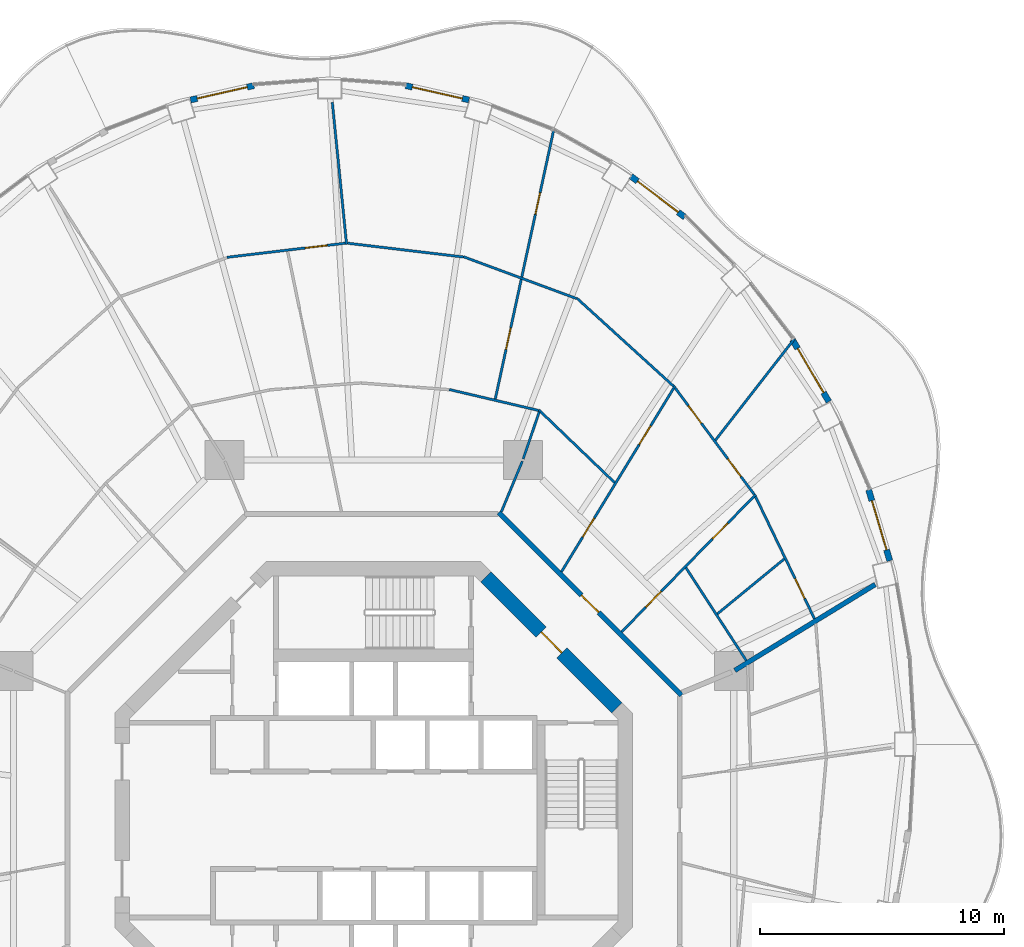
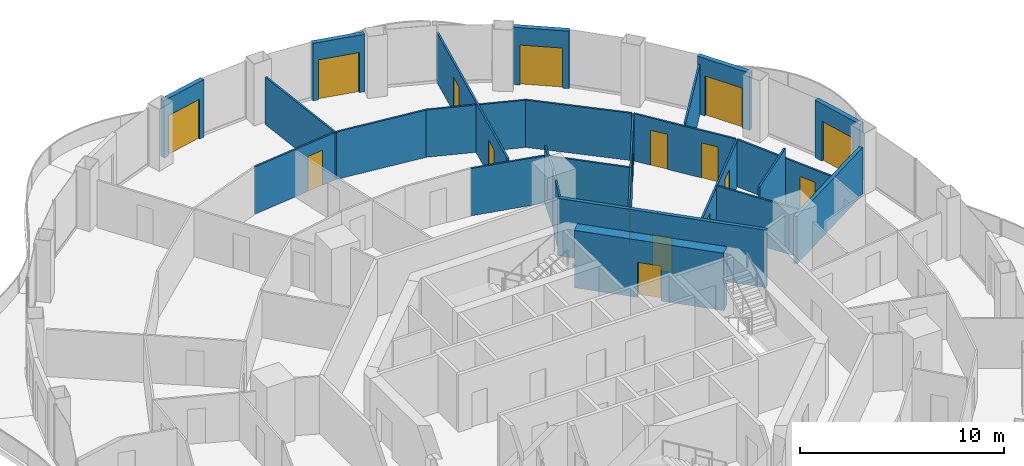
# One storey, part 14 of 18: 25 walls, 17 doors, 17 openings.
"""IFC4 building model written with IfcOpenShell, lengths in metres."""

from ifc_helpers import new_model, si_unit, direction, frame, frame_2d, origin, place, context, subcontext, project, spatial, rectangle, extrude, material, layer, layer_set, type_object, element, fill, save


model = new_model("IFC4")

# Units and contexts
model_context = context("Model", 3, precision=1e-05, world=origin(), true_north=direction((0.0, 1.0)))
body_context = subcontext(model_context, "Body", "Model", "MODEL_VIEW")
ifc_project = project(units=[si_unit("LENGTHUNIT", "METRE"), si_unit("AREAUNIT", "SQUARE_METRE"), si_unit("VOLUMEUNIT", "CUBIC_METRE"), si_unit("PLANEANGLEUNIT", "RADIAN"), si_unit("MASSUNIT", "GRAM", prefix="KILO")], contexts=[model_context])

# Site, building, storey
site_placement = place(None, origin())
site = spatial("IfcSite", under=ifc_project, at=site_placement, CompositionType="ELEMENT")
building_placement = place(site_placement, origin())
building = spatial("IfcBuilding", under=site, at=building_placement, Name="Nagisa Residences", CompositionType="ELEMENT")
storey_placement = place(building_placement, frame((0.0, 0.0, 245.5)))
storey = spatial("IfcBuildingStorey", under=building, at=storey_placement, Name="L62", CompositionType="ELEMENT", Elevation=245.5)

# Wall
ifc_material_1 = material(Name="Gypsum board on steel studs", Category="steel")
ifc_layer_1 = layer(ifc_material_1, 0.199951171875)
ifc_layer_set_1 = layer_set([ifc_layer_1], Name="Apartment compartment wall EI60 200")
wall_type_1 = type_object("IfcWallType", Name="Apartment compartment wall EI60 200", PredefinedType="PARTITIONING", material=ifc_layer_set_1)
wall_1_placement = place(storey_placement, frame((14.82470703125, 6.149169921875, 0.0), z_axis=(0.0, 0.0, 1.0), x_axis=(0.852781365284, 0.522268075824, 0.0)))
element("IfcWall", 1, at=wall_1_placement, inside=storey, type_object=wall_type_1, Name="wall:L62:u01", PredefinedType="PARTITIONING", context=body_context, shape_type="SweptSolid", body=[
    extrude(rectangle(XDim=6.758056640625, YDim=0.199951171875, at=frame_2d((3.37890625, 0.0))), origin(), (0.0, 0.0, 1.0), 2.8369140625),
])

# Wall, opening, door
ifc_material_2 = material(Name="Gypsum board on steel studs", Category="steel")
ifc_layer_2 = layer(ifc_material_2, 0.199951171875)
ifc_layer_set_2 = layer_set([ifc_layer_2], Name="Apartment entry wall EI60 200")
wall_type_2 = type_object("IfcWallType", Name="Apartment entry wall EI60 200", PredefinedType="PARTITIONING", material=ifc_layer_set_2)
wall_2_placement = place(storey_placement, frame((12.635498046875, 5.1337890625, 0.0), z_axis=(0.0, 0.0, 1.0), x_axis=(-0.707106781187, 0.707106781187, 0.0)))
wall_2 = element("IfcWall", 2, at=wall_2_placement, inside=storey, type_object=wall_type_2, Name="wall:L62:u07", PredefinedType="PARTITIONING", context=body_context, shape_type="SweptSolid", body=[
    extrude(rectangle(XDim=10.609130859375, YDim=0.199951171875, at=frame_2d((5.3046875, 0.0))), origin(), (0.0, 0.0, 1.0), 3.43994140625),
])
opening_1_placement = place(wall_2_placement, frame((4.804443359375, 0.0, 0.0)))
opening_1 = element("IfcOpeningElement", 3, at=opening_1_placement, cuts=wall_2, Name="Opening L62-U13", PredefinedType="OPENING", context=body_context, shape_type="SweptSolid", body=[
    extrude(rectangle(XDim=1.0, YDim=2.10009765625, at=frame_2d((0.5, 1.050048828125))), frame((0.0, 0.10986328125, 0.0), z_axis=(0.0, -1.0, 0.0), x_axis=(1.0, 0.0, 0.0)), (0.0, 0.0, 1.0), 0.219970703125),
])
ifc_material_3 = material(Name="Timber fire door set", Category="wood")
door_type_1 = type_object("IfcDoorType", Name="Apartment entry door FD30S 1000x2100", OperationType="NOTDEFINED", PredefinedType="DOOR", material=ifc_material_3)
door_1_placement = place(opening_1_placement, frame((1.0, 0.0, 0.0), x_axis=(-1.0, 0.0, 0.0)))
door_1 = element("IfcDoor", 4, at=door_1_placement, inside=storey, type_object=door_type_1, Name="Entry door, Apartment 62B", OperationType="SINGLE_SWING_RIGHT", OverallHeight=2.10009765625, OverallWidth=1.0, PredefinedType="DOOR", context=body_context, shape_type="SweptSolid", body=[
    extrude(rectangle(XDim=1.0, YDim=2.10009765625, at=frame_2d((0.5, 1.050048828125))), frame((0.0, 0.02490234375, 0.0), z_axis=(0.0, -1.0, 0.0), x_axis=(1.0, 0.0, 0.0)), (0.0, 0.0, 1.0), 0.050048828125),
])
fill(opening_1, door_1)

# Wall
ifc_material_4 = material(Name="Gypsum board on steel studs", Category="steel")
ifc_layer_3 = layer(ifc_material_4, 0.10009765625)
ifc_layer_set_3 = layer_set([ifc_layer_3], Name="Apartment partition 100")
wall_type_3 = type_object("IfcWallType", Name="Apartment partition 100", PredefinedType="PARTITIONING", material=ifc_layer_set_3)
wall_3_placement = place(storey_placement, frame((15.295166015625, 6.554443359375, 0.0), z_axis=(0.0, 0.0, 1.0), x_axis=(-0.545150807833, 0.838337996705, 0.0)))
element("IfcWall", 5, at=wall_3_placement, inside=storey, type_object=wall_type_3, Name="wall:L62:u19", PredefinedType="PARTITIONING", context=body_context, shape_type="SweptSolid", body=[
    extrude(rectangle(XDim=4.54248046875, YDim=0.10009765625, at=frame_2d((2.271240234375, 0.0))), origin(), (0.0, 0.0, 1.0), 2.8369140625),
])

# Wall, opening, door
wall_4_placement = place(storey_placement, frame((18.094970703125, 8.2685546875, 0.0), z_axis=(0.0, 0.0, 1.0), x_axis=(-0.434643729881, 0.900602480607, 0.0)))
wall_4 = element("IfcWall", 6, at=wall_4_placement, inside=storey, type_object=wall_type_3, Name="wall:L62:u20", PredefinedType="PARTITIONING", context=body_context, shape_type="SweptSolid", body=[
    extrude(rectangle(XDim=5.57421875, YDim=0.10009765625, at=frame_2d((2.787109375, 0.0))), origin(), (0.0, 0.0, 1.0), 2.8369140625),
])
opening_2_placement = place(wall_4_placement, frame((0.93115234375, 0.0, 0.0)))
opening_2 = element("IfcOpeningElement", 7, at=opening_2_placement, cuts=wall_4, Name="Opening L62-U37", PredefinedType="OPENING", context=body_context, shape_type="SweptSolid", body=[
    extrude(rectangle(XDim=0.89990234375, YDim=2.10009765625, at=frame_2d((0.449951171875, 1.050048828125))), frame((0.0, 0.06005859375, 0.0), z_axis=(0.0, -1.0, 0.0), x_axis=(1.0, 0.0, 0.0)), (0.0, 0.0, 1.0), 0.1201171875),
])
ifc_material_5 = material(Name="Timber door set", Category="wood")
door_type_2 = type_object("IfcDoorType", Name="Apartment door 900x2100", OperationType="NOTDEFINED", PredefinedType="DOOR", material=ifc_material_5)
door_2_placement = place(opening_2_placement, origin())
door_2 = element("IfcDoor", 8, at=door_2_placement, inside=storey, type_object=door_type_2, Name="Door to en-suite bathroom, Apartment 62B", OperationType="SINGLE_SWING_LEFT", OverallHeight=2.10009765625, OverallWidth=0.89990234375, PredefinedType="DOOR", context=body_context, shape_type="SweptSolid", body=[
    extrude(rectangle(XDim=0.89990234375, YDim=2.10009765625, at=frame_2d((0.449951171875, 1.050048828125))), frame((0.0, 0.02490234375, 0.0), z_axis=(0.0, -1.0, 0.0), x_axis=(1.0, 0.0, 0.0)), (0.0, 0.0, 1.0), 0.050048828125),
])
fill(opening_2, door_2)

# Wall
wall_5_placement = place(storey_placement, frame((14.109375, 8.46923828125, 0.0), z_axis=(0.0, 0.0, 1.0), x_axis=(0.772802064515, 0.634647121699, 0.0)))
element("IfcWall", 9, at=wall_5_placement, inside=storey, type_object=wall_type_3, Name="wall:L62:u21", PredefinedType="PARTITIONING", context=body_context, shape_type="SweptSolid", body=[
    extrude(rectangle(XDim=3.5537109375, YDim=0.10009765625, at=frame_2d((1.77685546875, 0.0))), origin(), (0.0, 0.0, 1.0), 3.43994140625),
])

# Wall, openings, doors
wall_6_placement = place(storey_placement, frame((10.18115234375, 7.7294921875, 0.0), z_axis=(0.0, 0.0, 1.0), x_axis=(0.698426432281, 0.715681855779, 0.0)))
wall_6 = element("IfcWall", 10, at=wall_6_placement, inside=storey, type_object=wall_type_3, Name="wall:L62:u22", PredefinedType="PARTITIONING", context=body_context, shape_type="SweptSolid", body=[
    extrude(rectangle(XDim=7.880859375, YDim=0.10009765625, at=frame_2d((3.9404296875, 0.0))), origin(), (0.0, 0.0, 1.0), 2.761962890625),
])
opening_3_placement = place(wall_6_placement, frame((1.418701171875, 0.0, 0.0)))
opening_3 = element("IfcOpeningElement", 11, at=opening_3_placement, cuts=wall_6, Name="Opening L62-U14", PredefinedType="OPENING", context=body_context, shape_type="SweptSolid", body=[
    extrude(rectangle(XDim=0.89990234375, YDim=2.10009765625, at=frame_2d((0.449951171875, 1.050048828125))), frame((0.0, 0.06005859375, 0.0), z_axis=(0.0, -1.0, 0.0), x_axis=(1.0, 0.0, 0.0)), (0.0, 0.0, 1.0), 0.1201171875),
])
opening_4_placement = place(wall_6_placement, frame((5.333984375, 0.0, 0.0)))
opening_4 = element("IfcOpeningElement", 12, at=opening_4_placement, cuts=wall_6, Name="Opening L62-U16", PredefinedType="OPENING", context=body_context, shape_type="SweptSolid", body=[
    extrude(rectangle(XDim=0.89990234375, YDim=2.10009765625, at=frame_2d((0.449951171875, 1.050048828125))), frame((0.0, 0.06005859375, 0.0), z_axis=(0.0, -1.0, 0.0), x_axis=(1.0, 0.0, 0.0)), (0.0, 0.0, 1.0), 0.1201171875),
])
door_3_placement = place(opening_3_placement, frame((0.89990234375, 0.0, 0.0), x_axis=(-1.0, 0.0, 0.0)))
door_3 = element("IfcDoor", 13, at=door_3_placement, inside=storey, type_object=door_type_2, Name="Door to laundry, Apartment 62B", OperationType="SINGLE_SWING_LEFT", OverallHeight=2.10009765625, OverallWidth=0.89990234375, PredefinedType="DOOR", context=body_context, shape_type="SweptSolid", body=[
    extrude(rectangle(XDim=0.89990234375, YDim=2.10009765625, at=frame_2d((0.449951171875, 1.050048828125))), frame((0.0, 0.02490234375, 0.0), z_axis=(0.0, -1.0, 0.0), x_axis=(1.0, 0.0, 0.0)), (0.0, 0.0, 1.0), 0.050048828125),
])
fill(opening_3, door_3)
door_4_placement = place(opening_4_placement, frame((0.89990234375, 0.0, 0.0), x_axis=(-1.0, 0.0, 0.0)))
door_4 = element("IfcDoor", 14, at=door_4_placement, inside=storey, type_object=door_type_2, Name="Door to family bathroom, Apartment 62B", OperationType="SINGLE_SWING_LEFT", OverallHeight=2.10009765625, OverallWidth=0.89990234375, PredefinedType="DOOR", context=body_context, shape_type="SweptSolid", body=[
    extrude(rectangle(XDim=0.89990234375, YDim=2.10009765625, at=frame_2d((0.449951171875, 1.050048828125))), frame((0.0, 0.02490234375, 0.0), z_axis=(0.0, -1.0, 0.0), x_axis=(1.0, 0.0, 0.0)), (0.0, 0.0, 1.0), 0.050048828125),
])
fill(opening_4, door_4)

wall_7_placement = place(storey_placement, frame((15.62060546875, 13.3740234375, 0.0), z_axis=(0.0, 0.0, 1.0), x_axis=(-0.596174489482, 0.8028548923, 0.0)))
wall_7 = element("IfcWall", 15, at=wall_7_placement, inside=storey, type_object=wall_type_3, Name="wall:L62:u23", PredefinedType="PARTITIONING", context=body_context, shape_type="SweptSolid", body=[
    extrude(rectangle(XDim=5.44189453125, YDim=0.10009765625, at=frame_2d((2.720947265625, 0.0))), origin(), (0.0, 0.0, 1.0), 2.8369140625),
])
opening_5_placement = place(wall_7_placement, frame((0.910400390625, 0.0, 0.0)))
opening_5 = element("IfcOpeningElement", 16, at=opening_5_placement, cuts=wall_7, Name="Opening L62-U23", PredefinedType="OPENING", context=body_context, shape_type="SweptSolid", body=[
    extrude(rectangle(XDim=0.89990234375, YDim=2.10009765625, at=frame_2d((0.449951171875, 1.050048828125))), frame((0.0, 0.06005859375, 0.0), z_axis=(0.0, -1.0, 0.0), x_axis=(1.0, 0.0, 0.0)), (0.0, 0.0, 1.0), 0.1201171875),
])
opening_6_placement = place(wall_7_placement, frame((3.63134765625, 0.0, 0.0)))
opening_6 = element("IfcOpeningElement", 17, at=opening_6_placement, cuts=wall_7, Name="Opening L62-U24", PredefinedType="OPENING", context=body_context, shape_type="SweptSolid", body=[
    extrude(rectangle(XDim=0.89990234375, YDim=2.10009765625, at=frame_2d((0.449951171875, 1.050048828125))), frame((0.0, 0.06005859375, 0.0), z_axis=(0.0, -1.0, 0.0), x_axis=(1.0, 0.0, 0.0)), (0.0, 0.0, 1.0), 0.1201171875),
])
door_5_placement = place(opening_5_placement, frame((0.89990234375, 0.0, 0.0), x_axis=(-1.0, 0.0, 0.0)))
door_5 = element("IfcDoor", 18, at=door_5_placement, inside=storey, type_object=door_type_2, Name="Door to master bedroom, Apartment 62B", OperationType="SINGLE_SWING_RIGHT", OverallHeight=2.10009765625, OverallWidth=0.89990234375, PredefinedType="DOOR", context=body_context, shape_type="SweptSolid", body=[
    extrude(rectangle(XDim=0.89990234375, YDim=2.10009765625, at=frame_2d((0.449951171875, 1.050048828125))), frame((0.0, 0.02490234375, 0.0), z_axis=(0.0, -1.0, 0.0), x_axis=(1.0, 0.0, 0.0)), (0.0, 0.0, 1.0), 0.050048828125),
])
fill(opening_5, door_5)
door_6_placement = place(opening_6_placement, frame((0.89990234375, 0.0, 0.0), x_axis=(-1.0, 0.0, 0.0)))
door_6 = element("IfcDoor", 19, at=door_6_placement, inside=storey, type_object=door_type_2, Name="Door to family room, Apartment 62B", OperationType="SINGLE_SWING_LEFT", OverallHeight=2.10009765625, OverallWidth=0.89990234375, PredefinedType="DOOR", context=body_context, shape_type="SweptSolid", body=[
    extrude(rectangle(XDim=0.89990234375, YDim=2.10009765625, at=frame_2d((0.449951171875, 1.050048828125))), frame((0.0, 0.02490234375, 0.0), z_axis=(0.0, -1.0, 0.0), x_axis=(1.0, 0.0, 0.0)), (0.0, 0.0, 1.0), 0.050048828125),
])
fill(opening_6, door_6)

# Wall
wall_8_placement = place(storey_placement, frame((14.029052734375, 15.597900390625, 0.0), z_axis=(0.0, 0.0, 1.0), x_axis=(0.614558710688, 0.788871086501, 0.0)))
element("IfcWall", 20, at=wall_8_placement, inside=storey, type_object=wall_type_3, Name="wall:L62:u24", PredefinedType="PARTITIONING", context=body_context, shape_type="SweptSolid", body=[
    extrude(rectangle(XDim=5.276123046875, YDim=0.10009765625, at=frame_2d((2.63818359375, 0.0))), origin(), (0.0, 0.0, 1.0), 2.98291015625),
])

# Wall, openings, doors
wall_9_placement = place(storey_placement, frame((7.7099609375, 10.19677734375, 0.0), z_axis=(0.0, 0.0, 1.0), x_axis=(0.521477621335, 0.853264959111, 0.0)))
wall_9 = element("IfcWall", 21, at=wall_9_placement, inside=storey, type_object=wall_type_3, Name="wall:L62:u25", PredefinedType="PARTITIONING", context=body_context, shape_type="SweptSolid", body=[
    extrude(rectangle(XDim=8.941162109375, YDim=0.10009765625, at=frame_2d((4.470703125, 0.0))), origin(), (0.0, 0.0, 1.0), 2.761962890625),
])
opening_7_placement = place(wall_9_placement, frame((1.67529296875, 0.0, 0.0)))
opening_7 = element("IfcOpeningElement", 22, at=opening_7_placement, cuts=wall_9, Name="Opening L62-U15", PredefinedType="OPENING", context=body_context, shape_type="SweptSolid", body=[
    extrude(rectangle(XDim=0.89990234375, YDim=2.10009765625, at=frame_2d((0.449951171875, 1.050048828125))), frame((0.0, 0.06005859375, 0.0), z_axis=(0.0, -1.0, 0.0), x_axis=(1.0, 0.0, 0.0)), (0.0, 0.0, 1.0), 0.1201171875),
])
opening_8_placement = place(wall_9_placement, frame((6.120849609375, 0.0, 0.0)))
opening_8 = element("IfcOpeningElement", 23, at=opening_8_placement, cuts=wall_9, Name="Opening L62-U17", PredefinedType="OPENING", context=body_context, shape_type="SweptSolid", body=[
    extrude(rectangle(XDim=0.89990234375, YDim=2.10009765625, at=frame_2d((0.449951171875, 1.050048828125))), frame((0.0, 0.06005859375, 0.0), z_axis=(0.0, -1.0, 0.0), x_axis=(1.0, 0.0, 0.0)), (0.0, 0.0, 1.0), 0.1201171875),
])
door_7_placement = place(opening_7_placement, origin())
door_7 = element("IfcDoor", 24, at=door_7_placement, inside=storey, type_object=door_type_2, Name="Door to family bathroom, Apartment 62B", OperationType="SINGLE_SWING_LEFT", OverallHeight=2.10009765625, OverallWidth=0.89990234375, PredefinedType="DOOR", context=body_context, shape_type="SweptSolid", body=[
    extrude(rectangle(XDim=0.89990234375, YDim=2.10009765625, at=frame_2d((0.449951171875, 1.050048828125))), frame((0.0, 0.02490234375, 0.0), z_axis=(0.0, -1.0, 0.0), x_axis=(1.0, 0.0, 0.0)), (0.0, 0.0, 1.0), 0.050048828125),
])
fill(opening_7, door_7)
door_8_placement = place(opening_8_placement, origin())
door_8 = element("IfcDoor", 25, at=door_8_placement, inside=storey, type_object=door_type_2, Name="Door to kitchen, Apartment 62B", OperationType="SINGLE_SWING_LEFT", OverallHeight=2.10009765625, OverallWidth=0.89990234375, PredefinedType="DOOR", context=body_context, shape_type="SweptSolid", body=[
    extrude(rectangle(XDim=0.89990234375, YDim=2.10009765625, at=frame_2d((0.449951171875, 1.050048828125))), frame((0.0, 0.02490234375, 0.0), z_axis=(0.0, -1.0, 0.0), x_axis=(1.0, 0.0, 0.0)), (0.0, 0.0, 1.0), 0.050048828125),
])
fill(opening_8, door_8)

# Walls
wall_10_placement = place(storey_placement, frame((9.890380859375, 13.858154296875, 0.0), z_axis=(0.0, 0.0, 1.0), x_axis=(-0.72167233993, 0.692234811159, 0.0)))
element("IfcWall", 26, at=wall_10_placement, inside=storey, type_object=wall_type_3, Name="wall:L62:u26", PredefinedType="PARTITIONING", context=body_context, shape_type="SweptSolid", body=[
    extrude(rectangle(XDim=4.312744140625, YDim=0.10009765625, at=frame_2d((2.15625, 0.0))), origin(), (0.0, 0.0, 1.0), 2.8369140625),
])
wall_11_placement = place(storey_placement, frame((12.3095703125, 17.81689453125, 0.0), z_axis=(0.0, 0.0, 1.0), x_axis=(-0.739697052892, 0.672940019573, 0.0)))
element("IfcWall", 27, at=wall_11_placement, inside=storey, type_object=wall_type_3, Name="wall:L62:u27", PredefinedType="PARTITIONING", context=body_context, shape_type="SweptSolid", body=[
    extrude(rectangle(XDim=5.364990234375, YDim=0.10009765625, at=frame_2d((2.6826171875, 0.0))), origin(), (0.0, 0.0, 1.0), 2.8369140625),
])
wall_12_placement = place(storey_placement, frame((5.24267578125, 12.6572265625, 0.0), z_axis=(0.0, 0.0, 1.0), x_axis=(0.382719158442, 0.923864733477, 0.0)))
element("IfcWall", 28, at=wall_12_placement, inside=storey, type_object=wall_type_3, Name="wall:L62:u28", PredefinedType="PARTITIONING", context=body_context, shape_type="SweptSolid", body=[
    extrude(rectangle(XDim=2.25, YDim=0.10009765625, at=frame_2d((1.125, 0.0))), origin(), (0.0, 0.0, 1.0), 3.43994140625),
])
wall_13_placement = place(storey_placement, frame((6.13916015625, 14.829345703125, 0.0), z_axis=(0.0, 0.0, 1.0), x_axis=(0.32278593828, 0.946471995385, 0.0)))
element("IfcWall", 29, at=wall_13_placement, inside=storey, type_object=wall_type_3, Name="wall:L62:u29", PredefinedType="PARTITIONING", context=body_context, shape_type="SweptSolid", body=[
    extrude(rectangle(XDim=2.04150390625, YDim=0.10009765625, at=frame_2d((1.020751953125, 0.0))), origin(), (0.0, 0.0, 1.0), 3.43994140625),
])
wall_14_placement = place(storey_placement, frame((6.765625, 16.8203125, 0.0), z_axis=(0.0, 0.0, 1.0), x_axis=(-0.973620139133, 0.228174986961, 0.0)))
element("IfcWall", 30, at=wall_14_placement, inside=storey, type_object=wall_type_3, Name="wall:L62:u30", PredefinedType="PARTITIONING", context=body_context, shape_type="SweptSolid", body=[
    extrude(rectangle(XDim=3.76318359375, YDim=0.10009765625, at=frame_2d((1.881591796875, 0.0))), origin(), (0.0, 0.0, 1.0), 2.8369140625),
])
wall_15_placement = place(storey_placement, frame((8.3310546875, 21.410888671875, 0.0), z_axis=(0.0, 0.0, 1.0), x_axis=(-0.937892657706, 0.346925586575, 0.0)))
element("IfcWall", 31, at=wall_15_placement, inside=storey, type_object=wall_type_3, Name="wall:L62:u31", PredefinedType="PARTITIONING", context=body_context, shape_type="SweptSolid", body=[
    extrude(rectangle(XDim=4.949951171875, YDim=0.10009765625, at=frame_2d((2.47509765625, 0.0))), origin(), (0.0, 0.0, 1.0), 2.8369140625),
])

# Wall, openings, doors
wall_16_placement = place(storey_placement, frame((4.992919921875, 17.287109375, 0.0), z_axis=(0.0, 0.0, 1.0), x_axis=(0.21221094606, 0.977223881397, 0.0)))
wall_16 = element("IfcWall", 32, at=wall_16_placement, inside=storey, type_object=wall_type_3, Name="wall:L62:u32", PredefinedType="PARTITIONING", context=body_context, shape_type="SweptSolid", body=[
    extrude(rectangle(XDim=11.35498046875, YDim=0.10009765625, at=frame_2d((5.677490234375, 0.0))), origin(), (0.0, 0.0, 1.0), 2.98291015625),
])
opening_9_placement = place(wall_16_placement, frame((2.0888671875, 0.0, 0.0)))
opening_9 = element("IfcOpeningElement", 33, at=opening_9_placement, cuts=wall_16, Name="Opening L62-U18", PredefinedType="OPENING", context=body_context, shape_type="SweptSolid", body=[
    extrude(rectangle(XDim=0.89990234375, YDim=2.10009765625, at=frame_2d((0.449951171875, 1.050048828125))), frame((0.0, 0.06005859375, 0.0), z_axis=(0.0, -1.0, 0.0), x_axis=(1.0, 0.0, 0.0)), (0.0, 0.0, 1.0), 0.1201171875),
])
opening_10_placement = place(wall_16_placement, frame((7.7666015625, 0.0, 0.0)))
opening_10 = element("IfcOpeningElement", 34, at=opening_10_placement, cuts=wall_16, Name="Opening L62-U25", PredefinedType="OPENING", context=body_context, shape_type="SweptSolid", body=[
    extrude(rectangle(XDim=0.89990234375, YDim=2.10009765625, at=frame_2d((0.449951171875, 1.050048828125))), frame((0.0, 0.06005859375, 0.0), z_axis=(0.0, -1.0, 0.0), x_axis=(1.0, 0.0, 0.0)), (0.0, 0.0, 1.0), 0.1201171875),
])
door_9_placement = place(opening_9_placement, origin())
door_9 = element("IfcDoor", 35, at=door_9_placement, inside=storey, type_object=door_type_2, Name="Door to dining room, Apartment 62B", OperationType="SINGLE_SWING_RIGHT", OverallHeight=2.10009765625, OverallWidth=0.89990234375, PredefinedType="DOOR", context=body_context, shape_type="SweptSolid", body=[
    extrude(rectangle(XDim=0.89990234375, YDim=2.10009765625, at=frame_2d((0.449951171875, 1.050048828125))), frame((0.0, 0.02490234375, 0.0), z_axis=(0.0, -1.0, 0.0), x_axis=(1.0, 0.0, 0.0)), (0.0, 0.0, 1.0), 0.050048828125),
])
fill(opening_9, door_9)
door_10_placement = place(opening_10_placement, origin())
door_10 = element("IfcDoor", 36, at=door_10_placement, inside=storey, type_object=door_type_2, Name="Door to master bedroom, Apartment 62B", OperationType="SINGLE_SWING_LEFT", OverallHeight=2.10009765625, OverallWidth=0.89990234375, PredefinedType="DOOR", context=body_context, shape_type="SweptSolid", body=[
    extrude(rectangle(XDim=0.89990234375, YDim=2.10009765625, at=frame_2d((0.449951171875, 1.050048828125))), frame((0.0, 0.02490234375, 0.0), z_axis=(0.0, -1.0, 0.0), x_axis=(1.0, 0.0, 0.0)), (0.0, 0.0, 1.0), 0.050048828125),
])
fill(opening_10, door_10)

# Walls
wall_17_placement = place(storey_placement, frame((3.685791015625, 23.11669921875, 0.0), z_axis=(0.0, 0.0, 1.0), x_axis=(-0.992965872314, 0.11840091393, 0.0)))
element("IfcWall", 37, at=wall_17_placement, inside=storey, type_object=wall_type_3, Name="wall:L62:u34", PredefinedType="PARTITIONING", context=body_context, shape_type="SweptSolid", body=[
    extrude(rectangle(XDim=4.785888671875, YDim=0.10009765625, at=frame_2d((2.39306640625, 0.0))), origin(), (0.0, 0.0, 1.0), 2.8369140625),
])
wall_18_placement = place(storey_placement, frame((-1.111083984375, 23.6396484375, 0.0), z_axis=(0.0, 0.0, 1.0), x_axis=(-0.099784339691, 0.995009088176, 0.0)))
element("IfcWall", 38, at=wall_18_placement, inside=storey, type_object=wall_type_3, Name="wall:L62:u36", PredefinedType="PARTITIONING", context=body_context, shape_type="SweptSolid", body=[
    extrude(rectangle(XDim=5.857421875, YDim=0.10009765625, at=frame_2d((2.9287109375, 0.0))), origin(), (0.0, 0.0, 1.0), 2.8369140625),
])

# Wall, opening, door
wall_19_placement = place(storey_placement, frame((-1.165771484375, 23.683349609375, 0.0), z_axis=(0.0, 0.0, 1.0), x_axis=(-0.992961712415, -0.118435795593, 0.0)))
wall_19 = element("IfcWall", 39, at=wall_19_placement, inside=storey, type_object=wall_type_3, Name="wall:L62:u37", PredefinedType="PARTITIONING", context=body_context, shape_type="SweptSolid", body=[
    extrude(rectangle(XDim=4.885498046875, YDim=0.10009765625, at=frame_2d((2.44287109375, 0.0))), origin(), (0.0, 0.0, 1.0), 2.8369140625),
])
opening_11_placement = place(wall_19_placement, frame((0.746337890625, 0.0, 0.0)))
opening_11 = element("IfcOpeningElement", 40, at=opening_11_placement, cuts=wall_19, Name="Opening L62-U26", PredefinedType="OPENING", context=body_context, shape_type="SweptSolid", body=[
    extrude(rectangle(XDim=0.89990234375, YDim=2.10009765625, at=frame_2d((0.449951171875, 1.050048828125))), frame((0.0, 0.06005859375, 0.0), z_axis=(0.0, -1.0, 0.0), x_axis=(1.0, 0.0, 0.0)), (0.0, 0.0, 1.0), 0.1201171875),
])
door_11_placement = place(opening_11_placement, frame((0.89990234375, 0.0, 0.0), x_axis=(-1.0, 0.0, 0.0)))
door_11 = element("IfcDoor", 41, at=door_11_placement, inside=storey, type_object=door_type_2, Name="Door to living room, Apartment 62B", OperationType="SINGLE_SWING_LEFT", OverallHeight=2.10009765625, OverallWidth=0.89990234375, PredefinedType="DOOR", context=body_context, shape_type="SweptSolid", body=[
    extrude(rectangle(XDim=0.89990234375, YDim=2.10009765625, at=frame_2d((0.449951171875, 1.050048828125))), frame((0.0, 0.02490234375, 0.0), z_axis=(0.0, -1.0, 0.0), x_axis=(1.0, 0.0, 0.0)), (0.0, 0.0, 1.0), 0.050048828125),
])
fill(opening_11, door_11)

ifc_material_6 = material(Name="Precast concrete C40/50", Category="concrete")
ifc_layer_4 = layer(ifc_material_6, 0.25)
ifc_layer_set_4 = layer_set([ifc_layer_4], Name="BALCONY DOOR WALL 250")
wall_type_4 = type_object("IfcWallType", Name="BALCONY DOOR WALL 250", PredefinedType="SOLIDWALL", material=ifc_layer_set_4)
wall_20_placement = place(storey_placement, frame((20.318115234375, 13.563720703125, 0.0), z_axis=(0.0, 0.0, 1.0), x_axis=(0.285785716255, -0.958293548128, 0.0)))
wall_20 = element("IfcWall", 42, at=wall_20_placement, inside=storey, type_object=wall_type_4, Name="wall:L62:bay02", PredefinedType="SOLIDWALL", context=body_context, shape_type="SweptSolid", body=[
    extrude(rectangle(XDim=3.040283203125, YDim=0.25, at=frame_2d((1.52001953125, 0.0))), origin(), (0.0, 0.0, 1.0), 3.43994140625),
])
opening_12_placement = place(wall_20_placement, frame((0.47021484375, 0.0, 0.0)))
opening_12 = element("IfcOpeningElement", 43, at=opening_12_placement, cuts=wall_20, Name="Opening BD-L62-01", PredefinedType="OPENING", context=body_context, shape_type="SweptSolid", body=[
    extrude(rectangle(XDim=2.10009765625, YDim=2.39990234375, at=frame_2d((1.050048828125, 1.199951171875))), frame((0.0, 0.135009765625, 0.0), z_axis=(0.0, -1.0, 0.0), x_axis=(1.0, 0.0, 0.0)), (0.0, 0.0, 1.0), 0.27001953125),
])
ifc_material_7 = material(Name="Aluminium and clear glass", Category="aluminium")
door_type_3 = type_object("IfcDoorType", Name="BALCONY SLIDING DOOR 2100x2400", OperationType="SLIDING_TO_LEFT", PredefinedType="DOOR", material=ifc_material_7)
door_12_placement = place(opening_12_placement, origin())
door_12 = element("IfcDoor", 44, at=door_12_placement, inside=storey, type_object=door_type_3, Name="door:L62:bay02", OperationType="SLIDING_TO_LEFT", OverallHeight=2.39990234375, OverallWidth=2.10009765625, PredefinedType="DOOR", context=body_context, shape_type="SweptSolid", body=[
    extrude(rectangle(XDim=2.10009765625, YDim=2.39990234375, at=frame_2d((1.050048828125, 1.199951171875))), frame((0.0, 0.02490234375, 0.0), z_axis=(0.0, -1.0, 0.0), x_axis=(1.0, 0.0, 0.0)), (0.0, 0.0, 1.0), 0.050048828125),
])
fill(opening_12, door_12)

wall_21_placement = place(storey_placement, frame((17.188232421875, 19.728271484375, 0.0), z_axis=(0.0, 0.0, 1.0), x_axis=(0.506391620556, -0.862303616269, 0.0)))
wall_21 = element("IfcWall", 45, at=wall_21_placement, inside=storey, type_object=wall_type_4, Name="wall:L62:bay04", PredefinedType="SOLIDWALL", context=body_context, shape_type="SweptSolid", body=[
    extrude(rectangle(XDim=2.954345703125, YDim=0.25, at=frame_2d((1.47705078125, 0.0))), origin(), (0.0, 0.0, 1.0), 3.43994140625),
])
opening_13_placement = place(wall_21_placement, frame((0.42724609375, 0.0, 0.0)))
opening_13 = element("IfcOpeningElement", 46, at=opening_13_placement, cuts=wall_21, Name="Opening BD-L62-02", PredefinedType="OPENING", context=body_context, shape_type="SweptSolid", body=[
    extrude(rectangle(XDim=2.10009765625, YDim=2.39990234375, at=frame_2d((1.050048828125, 1.199951171875))), frame((0.0, 0.135009765625, 0.0), z_axis=(0.0, -1.0, 0.0), x_axis=(1.0, 0.0, 0.0)), (0.0, 0.0, 1.0), 0.27001953125),
])
door_13_placement = place(opening_13_placement, origin())
door_13 = element("IfcDoor", 47, at=door_13_placement, inside=storey, type_object=door_type_3, Name="door:L62:bay04", OperationType="SLIDING_TO_LEFT", OverallHeight=2.39990234375, OverallWidth=2.10009765625, PredefinedType="DOOR", context=body_context, shape_type="SweptSolid", body=[
    extrude(rectangle(XDim=2.10009765625, YDim=2.39990234375, at=frame_2d((1.050048828125, 1.199951171875))), frame((0.0, 0.02490234375, 0.0), z_axis=(0.0, -1.0, 0.0), x_axis=(1.0, 0.0, 0.0)), (0.0, 0.0, 1.0), 0.050048828125),
])
fill(opening_13, door_13)

wall_22_placement = place(storey_placement, frame((10.557373046875, 26.43603515625, 0.0), z_axis=(0.0, 0.0, 1.0), x_axis=(0.796022158395, -0.605267480825, 0.0)))
wall_22 = element("IfcWall", 48, at=wall_22_placement, inside=storey, type_object=wall_type_4, Name="wall:L62:bay07", PredefinedType="SOLIDWALL", context=body_context, shape_type="SweptSolid", body=[
    extrude(rectangle(XDim=2.788818359375, YDim=0.25, at=frame_2d((1.39453125, 0.0))), origin(), (0.0, 0.0, 1.0), 3.43994140625),
])
opening_14_placement = place(wall_22_placement, frame((0.34423828125, 0.0, 0.0)))
opening_14 = element("IfcOpeningElement", 49, at=opening_14_placement, cuts=wall_22, Name="Opening BD-L62-03", PredefinedType="OPENING", context=body_context, shape_type="SweptSolid", body=[
    extrude(rectangle(XDim=2.10009765625, YDim=2.39990234375, at=frame_2d((1.050048828125, 1.199951171875))), frame((0.0, 0.135009765625, 0.0), z_axis=(0.0, -1.0, 0.0), x_axis=(1.0, 0.0, 0.0)), (0.0, 0.0, 1.0), 0.27001953125),
])
door_14_placement = place(opening_14_placement, origin())
door_14 = element("IfcDoor", 50, at=door_14_placement, inside=storey, type_object=door_type_3, Name="door:L62:bay07", OperationType="SLIDING_TO_LEFT", OverallHeight=2.39990234375, OverallWidth=2.10009765625, PredefinedType="DOOR", context=body_context, shape_type="SweptSolid", body=[
    extrude(rectangle(XDim=2.10009765625, YDim=2.39990234375, at=frame_2d((1.050048828125, 1.199951171875))), frame((0.0, 0.02490234375, 0.0), z_axis=(0.0, -1.0, 0.0), x_axis=(1.0, 0.0, 0.0)), (0.0, 0.0, 1.0), 0.050048828125),
])
fill(opening_14, door_14)

wall_23_placement = place(storey_placement, frame((1.314208984375, 30.1513671875, 0.0), z_axis=(0.0, 0.0, 1.0), x_axis=(0.975324089124, -0.220777990694, 0.0)))
wall_23 = element("IfcWall", 51, at=wall_23_placement, inside=storey, type_object=wall_type_4, Name="wall:L62:bay10", PredefinedType="SOLIDWALL", context=body_context, shape_type="SweptSolid", body=[
    extrude(rectangle(XDim=2.666015625, YDim=0.25, at=frame_2d((1.3330078125, 0.0))), origin(), (0.0, 0.0, 1.0), 3.43994140625),
])
opening_15_placement = place(wall_23_placement, frame((0.282958984375, 0.0, 0.0)))
opening_15 = element("IfcOpeningElement", 52, at=opening_15_placement, cuts=wall_23, Name="Opening BD-L62-04", PredefinedType="OPENING", context=body_context, shape_type="SweptSolid", body=[
    extrude(rectangle(XDim=2.10009765625, YDim=2.39990234375, at=frame_2d((1.050048828125, 1.199951171875))), frame((0.0, 0.135009765625, 0.0), z_axis=(0.0, -1.0, 0.0), x_axis=(1.0, 0.0, 0.0)), (0.0, 0.0, 1.0), 0.27001953125),
])
door_15_placement = place(opening_15_placement, origin())
door_15 = element("IfcDoor", 53, at=door_15_placement, inside=storey, type_object=door_type_3, Name="door:L62:bay10", OperationType="SLIDING_TO_LEFT", OverallHeight=2.39990234375, OverallWidth=2.10009765625, PredefinedType="DOOR", context=body_context, shape_type="SweptSolid", body=[
    extrude(rectangle(XDim=2.10009765625, YDim=2.39990234375, at=frame_2d((1.050048828125, 1.199951171875))), frame((0.0, 0.02490234375, 0.0), z_axis=(0.0, -1.0, 0.0), x_axis=(1.0, 0.0, 0.0)), (0.0, 0.0, 1.0), 0.050048828125),
])
fill(opening_15, door_15)

wall_24_placement = place(storey_placement, frame((-7.514404296875, 29.562744140625, 0.0), z_axis=(0.0, 0.0, 1.0), x_axis=(0.975324089124, 0.220777990694, 0.0)))
wall_24 = element("IfcWall", 54, at=wall_24_placement, inside=storey, type_object=wall_type_4, Name="wall:L62:bay13", PredefinedType="SOLIDWALL", context=body_context, shape_type="SweptSolid", body=[
    extrude(rectangle(XDim=2.666015625, YDim=0.25, at=frame_2d((1.3330078125, 0.0))), origin(), (0.0, 0.0, 1.0), 3.43994140625),
])
opening_16_placement = place(wall_24_placement, frame((0.282958984375, 0.0, 0.0)))
opening_16 = element("IfcOpeningElement", 55, at=opening_16_placement, cuts=wall_24, Name="Opening BD-L62-05", PredefinedType="OPENING", context=body_context, shape_type="SweptSolid", body=[
    extrude(rectangle(XDim=2.10009765625, YDim=2.39990234375, at=frame_2d((1.050048828125, 1.199951171875))), frame((0.0, 0.135009765625, 0.0), z_axis=(0.0, -1.0, 0.0), x_axis=(1.0, 0.0, 0.0)), (0.0, 0.0, 1.0), 0.27001953125),
])
door_16_placement = place(opening_16_placement, origin())
door_16 = element("IfcDoor", 56, at=door_16_placement, inside=storey, type_object=door_type_3, Name="door:L62:bay13", OperationType="SLIDING_TO_LEFT", OverallHeight=2.39990234375, OverallWidth=2.10009765625, PredefinedType="DOOR", context=body_context, shape_type="SweptSolid", body=[
    extrude(rectangle(XDim=2.10009765625, YDim=2.39990234375, at=frame_2d((1.050048828125, 1.199951171875))), frame((0.0, 0.02490234375, 0.0), z_axis=(0.0, -1.0, 0.0), x_axis=(1.0, 0.0, 0.0)), (0.0, 0.0, 1.0), 0.050048828125),
])
fill(opening_16, door_16)

ifc_material_8 = material(Name="Concrete C60", Category="concrete")
ifc_layer_5 = layer(ifc_material_8, 0.60009765625)
ifc_layer_set_5 = layer_set([ifc_layer_5], Name="Core shear wall 600")
wall_type_5 = type_object("IfcWallType", Name="Core shear wall 600", PredefinedType="SHEAR", material=ifc_layer_set_5)
wall_25_placement = place(storey_placement, frame((9.98828125, 4.613037109375, 0.0), z_axis=(0.0, 0.0, 1.0), x_axis=(-0.707106781187, 0.707106781187, 0.0)))
wall_25 = element("IfcWall", 57, at=wall_25_placement, inside=storey, type_object=wall_type_5, Name="wall:L62:core:flat1", PredefinedType="SHEAR", context=body_context, shape_type="SweptSolid", body=[
    extrude(rectangle(XDim=7.601806640625, YDim=0.60009765625, at=frame_2d((3.80078125, 0.0))), origin(), (0.0, 0.0, 1.0), 3.43994140625),
])
opening_17_placement = place(wall_25_placement, frame((3.200927734375, 0.0, 0.0)))
opening_17 = element("IfcOpeningElement", 58, at=opening_17_placement, cuts=wall_25, Name="Opening L62-C19", PredefinedType="OPENING", context=body_context, shape_type="SweptSolid", body=[
    extrude(rectangle(XDim=1.199951171875, YDim=2.10009765625, at=frame_2d((0.60009765625, 1.050048828125))), frame((0.0, 0.31005859375, 0.0), z_axis=(0.0, -1.0, 0.0), x_axis=(1.0, 0.0, 0.0)), (0.0, 0.0, 1.0), 0.6201171875),
])
ifc_material_9 = material(Name="Steel fire door", Category="steel")
door_type_4 = type_object("IfcDoorType", Name="Fire door EI60 1200x2100 single swing", OperationType="NOTDEFINED", PredefinedType="DOOR", material=ifc_material_9)
door_17_placement = place(opening_17_placement, origin())
door_17 = element("IfcDoor", 59, at=door_17_placement, inside=storey, type_object=door_type_4, Name="Firefighting lobby 1 door L62", OperationType="SINGLE_SWING_RIGHT", OverallHeight=2.10009765625, OverallWidth=1.199951171875, PredefinedType="DOOR", context=body_context, shape_type="SweptSolid", body=[
    extrude(rectangle(XDim=1.199951171875, YDim=2.10009765625, at=frame_2d((0.60009765625, 1.050048828125))), frame((0.0, 0.02490234375, 0.0), z_axis=(0.0, -1.0, 0.0), x_axis=(1.0, 0.0, 0.0)), (0.0, 0.0, 1.0), 0.050048828125),
])
fill(opening_17, door_17)

save(model, "model.ifc")
